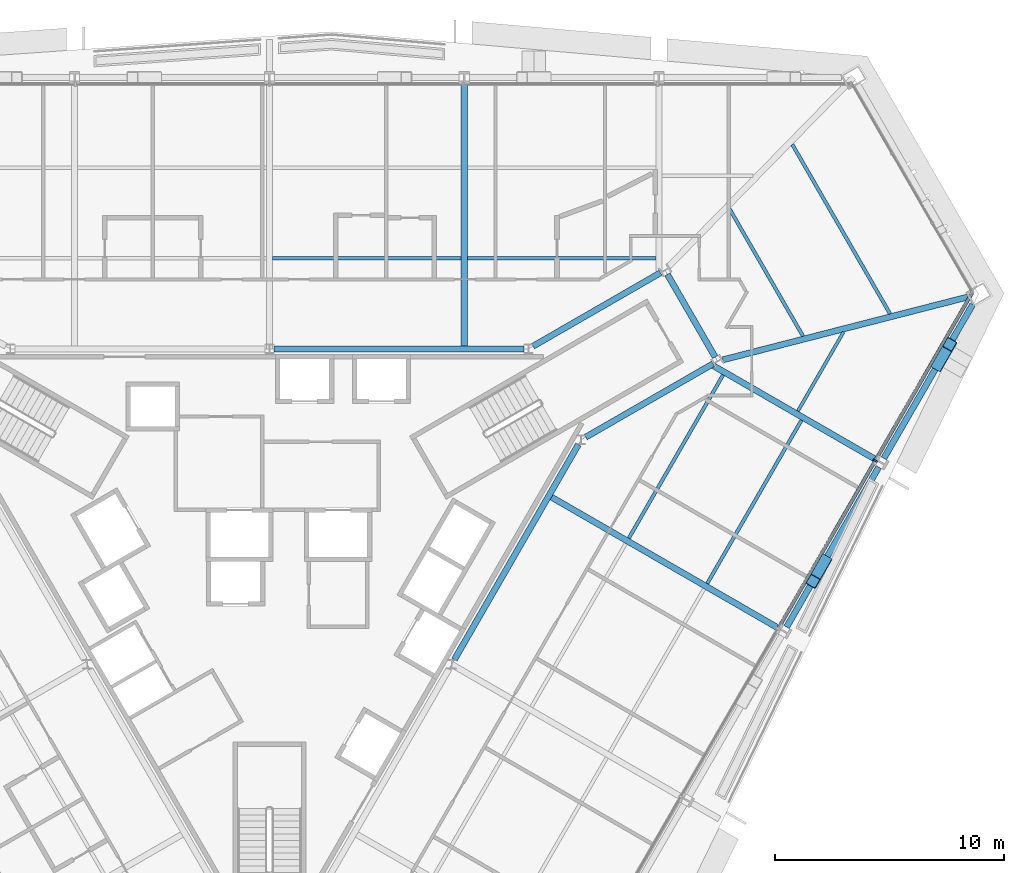
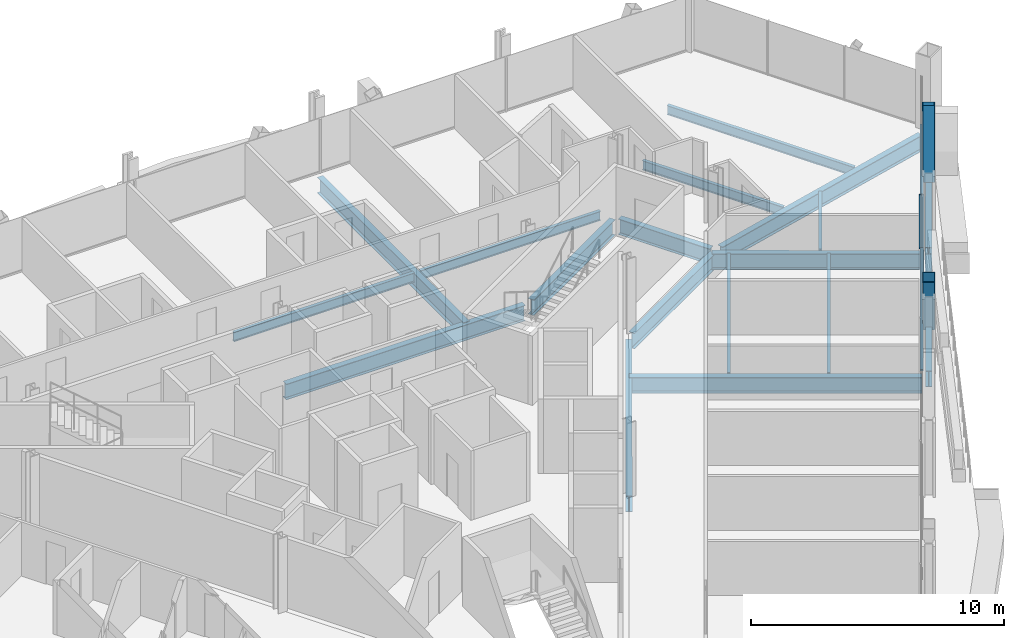
# One storey, part 6 of 17: 18 beams, 5 members, 1 element without a shape of its own.
"""IFC4 building model written with IfcOpenShell, lengths in metres."""

from ifc_helpers import new_model, si_unit, direction, frame, origin, origin_2d, place, context, subcontext, project, spatial, rectangle, hollow_rectangle, i_section, extrude, material, material_profile, profile_set, type_object, element, aggregate, save


model = new_model("IFC4")

# Units and contexts
model_context = context("Model", 3, precision=1e-05, world=origin(), true_north=direction((0.0, 1.0)))
body_context = subcontext(model_context, "Body", "Model", "MODEL_VIEW")
ifc_project = project(units=[si_unit("LENGTHUNIT", "METRE"), si_unit("AREAUNIT", "SQUARE_METRE"), si_unit("VOLUMEUNIT", "CUBIC_METRE"), si_unit("PLANEANGLEUNIT", "RADIAN"), si_unit("MASSUNIT", "GRAM", prefix="KILO")], contexts=[model_context])

# Site, building, storey
site_placement = place(None, origin())
site = spatial("IfcSite", under=ifc_project, at=site_placement, CompositionType="ELEMENT")
building_placement = place(site_placement, origin())
building = spatial("IfcBuilding", under=site, at=building_placement, Name="Verrane Prism Tower", CompositionType="ELEMENT")
storey_placement = place(building_placement, frame((0.0, 0.0, 51.199951171875)))
storey = spatial("IfcBuildingStorey", under=building, at=storey_placement, Name="L10", CompositionType="ELEMENT", Elevation=51.199951171875)

# Beams
ifc_material_1 = material(Name="Steel A992", Category="steel")
ifc_material_profile_1 = material_profile(ifc_material_1, i_section(OverallWidth=0.2666015625, OverallDepth=0.7568359375, WebThickness=0.013916015625, FlangeThickness=0.019287109375, FilletRadius=0.0166015625, at=origin_2d()), Name="W30x108")
ifc_profile_set_1 = profile_set([ifc_material_profile_1], Name="Steel A992")
beam_type_1 = type_object("IfcBeamType", Name="Core ring girder W30x108", PredefinedType="BEAM", material=ifc_profile_set_1)
beam_1_placement = place(storey_placement, frame((13.833251953125, 5.337158203125, -0.62841796875), z_axis=(0.86646365882, 0.499240150574, 0.0), x_axis=(-0.499240150574, 0.86646365882, 0.0)))
element("IfcBeam", 1, at=beam_1_placement, inside=storey, type_object=beam_type_1, Name="Core ring girder L10", PredefinedType="BEAM", context=body_context, shape_type="SweptSolid", body=[
    extrude(i_section(OverallWidth=0.2666015625, OverallDepth=0.7568359375, WebThickness=0.013916015625, FlangeThickness=0.019287109375, FilletRadius=0.0166015625, at=origin_2d()), origin(), (0.0, 0.0, 1.0), 6.42822265625),
])
beam_2_placement = place(storey_placement, frame((19.4951171875, 8.84130859375, -0.62841796875), z_axis=(-0.500349643494, 0.865823442888, 0.0), x_axis=(-0.865823442888, -0.500349643494, 0.0)))
element("IfcBeam", 2, at=beam_2_placement, inside=storey, type_object=beam_type_1, Name="Core ring girder L10", PredefinedType="BEAM", context=body_context, shape_type="SweptSolid", body=[
    extrude(i_section(OverallWidth=0.2666015625, OverallDepth=0.7568359375, WebThickness=0.013916015625, FlangeThickness=0.019287109375, FilletRadius=0.0166015625, at=origin_2d()), origin(), (0.0, 0.0, 1.0), 4.177734375),
])
beam_3_placement = place(storey_placement, frame((17.10302734375, 12.526611328125, -0.62841796875), z_axis=(-0.866447229751, -0.499268663203, 0.0), x_axis=(0.499268663203, -0.866447229751, 0.0)))
element("IfcBeam", 3, at=beam_3_placement, inside=storey, type_object=beam_type_1, Name="Core ring girder L10", PredefinedType="BEAM", context=body_context, shape_type="SweptSolid", body=[
    extrude(i_section(OverallWidth=0.2666015625, OverallDepth=0.7568359375, WebThickness=0.013916015625, FlangeThickness=0.019287109375, FilletRadius=0.0166015625, at=origin_2d()), origin(), (0.0, 0.0, 1.0), 6.428466796875),
])
beam_4_placement = place(storey_placement, frame((11.126708984375, 9.199951171875, -0.62841796875), z_axis=(-1.0, 0.0, 0.0), x_axis=(0.0, -1.0, 0.0)))
element("IfcBeam", 4, at=beam_4_placement, inside=storey, type_object=beam_type_1, Name="Core ring girder L10", PredefinedType="BEAM", context=body_context, shape_type="SweptSolid", body=[
    extrude(i_section(OverallWidth=0.2666015625, OverallDepth=0.7568359375, WebThickness=0.013916015625, FlangeThickness=0.019287109375, FilletRadius=0.0166015625, at=origin_2d()), origin(), (0.0, 0.0, 1.0), 10.923583984375),
])
beam_5_placement = place(storey_placement, frame((8.090087890625, -4.3916015625, -0.62841796875), z_axis=(0.499371892062, 0.866387738498, 0.0), x_axis=(-0.866387738498, 0.499371892062, 0.0)))
element("IfcBeam", 5, at=beam_5_placement, inside=storey, type_object=beam_type_1, Name="Core ring girder L10", PredefinedType="BEAM", context=body_context, shape_type="SweptSolid", body=[
    extrude(i_section(OverallWidth=0.2666015625, OverallDepth=0.7568359375, WebThickness=0.013916015625, FlangeThickness=0.019287109375, FilletRadius=0.0166015625, at=origin_2d()), origin(), (0.0, 0.0, 1.0), 10.853515625),
])
ifc_material_2 = material(Name="Steel A992", Category="steel")
ifc_material_profile_2 = material_profile(ifc_material_2, i_section(OverallWidth=0.2666015625, OverallDepth=0.76708984375, WebThickness=0.014892578125, FlangeThickness=0.023681640625, FilletRadius=0.0166015625, at=origin_2d()), Name="W30x124")
ifc_profile_set_2 = profile_set([ifc_material_profile_2], Name="Steel A992")
beam_type_2 = type_object("IfcBeamType", Name="Corner girder W30x124", PredefinedType="BEAM", material=ifc_profile_set_2)
beam_6_placement = place(storey_placement, frame((30.5673828125, 11.473876953125, -0.603515625), z_axis=(-0.968629214838, -0.248510450813, 0.0), x_axis=(0.248510450813, -0.968629214838, 0.0)))
element("IfcBeam", 6, at=beam_6_placement, inside=storey, type_object=beam_type_2, Name="Corner girder L10", PredefinedType="BEAM", context=body_context, shape_type="SweptSolid", body=[
    extrude(i_section(OverallWidth=0.2666015625, OverallDepth=0.76708984375, WebThickness=0.014892578125, FlangeThickness=0.023681640625, FilletRadius=0.0166015625, at=origin_2d()), origin(), (0.0, 0.0, 1.0), 11.086669921875),
])

# Members
ifc_material_3 = material(Name="Steel A1085 Grade A", Category="steel")
ifc_material_profile_3 = material_profile(ifc_material_3, hollow_rectangle(XDim=0.508056640625, YDim=0.508056640625, WallThickness=0.025390625, InnerFilletRadius=0.0126953125, OuterFilletRadius=0.0380859375, at=origin_2d()), Name="HSS20x20x1")
ifc_profile_set_3 = profile_set([ifc_material_profile_3], Name="Steel A1085 Grade A")
member_type_1 = type_object("IfcMemberType", Name="Facade brace HSS20x20x1", PredefinedType="BRACE", material=ifc_profile_set_3)
member_1_placement = place(storey_placement, frame((24.281494140625, -0.083740234375, -0.242431640625), z_axis=(-0.159775260557, -0.277492259553, 0.947348886104), x_axis=(0.866613017302, -0.498980839555, 0.0)))
element("IfcMember", 7, at=member_1_placement, inside=storey, type_object=member_type_1, Name="Facade brace SE4 L10", PredefinedType="BRACE", context=body_context, shape_type="SweptSolid", body=[
    extrude(hollow_rectangle(XDim=0.508056640625, YDim=0.508056640625, WallThickness=0.025390625, InnerFilletRadius=0.0126953125, OuterFilletRadius=0.0380859375, at=origin_2d()), origin(), (0.0, 0.0, 1.0), 3.17529296875),
])
member_2_placement = place(storey_placement, frame((29.244384765625, 8.51806640625, -0.242431640625), z_axis=(0.160095420092, 0.277052737076, 0.947423473081), x_axis=(-0.865837313025, 0.500325641332, 0.0)))
element("IfcMember", 8, at=member_2_placement, inside=storey, type_object=member_type_1, Name="Facade brace SE5 L10", PredefinedType="BRACE", context=body_context, shape_type="SweptSolid", body=[
    extrude(hollow_rectangle(XDim=0.508056640625, YDim=0.508056640625, WallThickness=0.025390625, InnerFilletRadius=0.0126953125, OuterFilletRadius=0.0380859375, at=origin_2d()), origin(), (0.0, 0.0, 1.0), 3.175048828125),
])

# Beams
ifc_material_4 = material(Name="Steel A992", Category="steel")
ifc_material_profile_4 = material_profile(ifc_material_4, i_section(OverallWidth=0.140380859375, OverallDepth=0.40380859375, WebThickness=0.007080078125, FlangeThickness=0.01123046875, FilletRadius=0.01025390625, at=origin_2d()), Name="W16x31")
ifc_profile_set_4 = profile_set([ifc_material_profile_4], Name="Steel A992")
beam_type_3 = type_object("IfcBeamType", Name="Floor beam W16x31", PredefinedType="BEAM", material=ifc_profile_set_4)
beam_7_placement = place(storey_placement, frame((23.113525390625, 6.4794921875, -0.36181640625), z_axis=(0.500001357645, 0.866024619946, 0.0), x_axis=(-0.866024619946, 0.500001357645, 0.0)))
element("IfcBeam", 9, at=beam_7_placement, inside=storey, type_object=beam_type_3, Name="Floor beam L10", PredefinedType="BEAM", context=body_context, shape_type="SweptSolid", body=[
    extrude(i_section(OverallWidth=0.140380859375, OverallDepth=0.40380859375, WebThickness=0.007080078125, FlangeThickness=0.01123046875, FilletRadius=0.01025390625, at=origin_2d()), origin(), (0.0, 0.0, 1.0), 3.99072265625),
])
ifc_material_5 = material(Name="Steel A992", Category="steel")
ifc_material_profile_5 = material_profile(ifc_material_5, i_section(OverallWidth=0.15234375, OverallDepth=0.449462890625, WebThickness=0.007568359375, FlangeThickness=0.0107421875, FilletRadius=0.01025390625, at=origin_2d()), Name="W18x35")
ifc_profile_set_5 = profile_set([ifc_material_profile_5], Name="Steel A992")
beam_type_4 = type_object("IfcBeamType", Name="Floor beam W18x35", PredefinedType="BEAM", material=ifc_profile_set_5)
beam_8_placement = place(storey_placement, frame((8.653564453125, 13.15673828125, -0.384765625), z_axis=(1.0, 0.0, 0.0), x_axis=(0.0, 1.0, 0.0)))
element("IfcBeam", 10, at=beam_8_placement, inside=storey, type_object=beam_type_4, Name="Floor beam L10", PredefinedType="BEAM", context=body_context, shape_type="SweptSolid", body=[
    extrude(i_section(OverallWidth=0.15234375, OverallDepth=0.449462890625, WebThickness=0.007568359375, FlangeThickness=0.0107421875, FilletRadius=0.01025390625, at=origin_2d()), origin(), (0.0, 0.0, 1.0), 8.242919921875),
])
beam_9_placement = place(storey_placement, frame((0.133544921875, 13.15673828125, -0.384765625), z_axis=(1.0, 0.0, 0.0), x_axis=(0.0, 1.0, 0.0)))
element("IfcBeam", 11, at=beam_9_placement, inside=storey, type_object=beam_type_4, Name="Floor beam L10", PredefinedType="BEAM", context=body_context, shape_type="SweptSolid", body=[
    extrude(i_section(OverallWidth=0.15234375, OverallDepth=0.449462890625, WebThickness=0.007568359375, FlangeThickness=0.0107421875, FilletRadius=0.01025390625, at=origin_2d()), origin(), (0.0, 0.0, 1.0), 8.2529296875),
])
beam_10_placement = place(storey_placement, frame((19.146728515625, -1.064453125, -0.384765625), z_axis=(0.499987164874, 0.866032814021, 0.0), x_axis=(-0.866032814021, 0.499987164874, 0.0)))
element("IfcBeam", 12, at=beam_10_placement, inside=storey, type_object=beam_type_4, Name="Floor beam L10", PredefinedType="BEAM", context=body_context, shape_type="SweptSolid", body=[
    extrude(i_section(OverallWidth=0.15234375, OverallDepth=0.449462890625, WebThickness=0.007568359375, FlangeThickness=0.0107421875, FilletRadius=0.01025390625, at=origin_2d()), origin(), (0.0, 0.0, 1.0), 8.249755859375),
])
beam_11_placement = place(storey_placement, frame((15.716796875, 0.91552734375, -0.384765625), z_axis=(0.499996545922, 0.866027397988, 0.0), x_axis=(-0.866027397988, 0.499996545922, 0.0)))
element("IfcBeam", 13, at=beam_11_placement, inside=storey, type_object=beam_type_4, Name="Floor beam L10", PredefinedType="BEAM", context=body_context, shape_type="SweptSolid", body=[
    extrude(i_section(OverallWidth=0.15234375, OverallDepth=0.449462890625, WebThickness=0.007568359375, FlangeThickness=0.0107421875, FilletRadius=0.01025390625, at=origin_2d()), origin(), (0.0, 0.0, 1.0), 8.25),
])
beam_12_placement = place(storey_placement, frame((27.145263671875, 10.733642578125, -0.384765625), z_axis=(-0.499989342298, 0.866031556924, 0.0), x_axis=(-0.866031556924, -0.499989342298, 0.0)))
element("IfcBeam", 14, at=beam_12_placement, inside=storey, type_object=beam_type_4, Name="Floor beam L10", PredefinedType="BEAM", context=body_context, shape_type="SweptSolid", body=[
    extrude(i_section(OverallWidth=0.15234375, OverallDepth=0.449462890625, WebThickness=0.007568359375, FlangeThickness=0.0107421875, FilletRadius=0.01025390625, at=origin_2d()), origin(), (0.0, 0.0, 1.0), 8.552001953125),
])
beam_13_placement = place(storey_placement, frame((23.337158203125, 9.756591796875, -0.384765625), z_axis=(-0.49999063097, 0.866030812929, 0.0), x_axis=(-0.866030812929, -0.49999063097, 0.0)))
element("IfcBeam", 15, at=beam_13_placement, inside=storey, type_object=beam_type_4, Name="Floor beam L10", PredefinedType="BEAM", context=body_context, shape_type="SweptSolid", body=[
    extrude(i_section(OverallWidth=0.15234375, OverallDepth=0.449462890625, WebThickness=0.007568359375, FlangeThickness=0.0107421875, FilletRadius=0.01025390625, at=origin_2d()), origin(), (0.0, 0.0, 1.0), 6.435546875),
])

# Curtain wall, member
ifc_material_6 = material(Name="Aluminium framed insulated glazing", Category="aluminium")
curtain_wall_type = type_object("IfcCurtainWallType", Name="Curtain wall CW-A 8400 module", PredefinedType="NOTDEFINED", material=ifc_material_6)
curtain_wall_placement = place(storey_placement, origin())
curtain_wall = element("IfcCurtainWall", 16, at=curtain_wall_placement, inside=storey, type_object=curtain_wall_type, Name="Glazed curtain wall south-east face L10", PredefinedType="NOTDEFINED")
ifc_material_7 = material(Name="Aluminium alloy 6063-T6", Category="aluminium")
ifc_material_profile_6 = material_profile(ifc_material_7, rectangle(XDim=0.199951171875, YDim=0.070068359375, at=origin_2d()), Name="Mullion 70x200 aluminium")
ifc_profile_set_6 = profile_set([ifc_material_profile_6], Name="Aluminium alloy 6063-T6")
member_type_2 = type_object("IfcMemberType", Name="Mullion 70x200 aluminium", PredefinedType="MULLION", material=ifc_profile_set_6)
member_3_placement = place(storey_placement, frame((26.497314453125, 4.312744140625, 0.0), z_axis=(0.0, 0.0, 1.0), x_axis=(-0.866025694591, 0.499999496308, 0.0)))
member_3 = element("IfcMember", 17, at=member_3_placement, type_object=member_type_2, Name="CW09.6 mullion 6", PredefinedType="MULLION", context=body_context, shape_type="SweptSolid", body=[
    extrude(rectangle(XDim=0.199951171875, YDim=0.070068359375, at=origin_2d()), origin(), (0.0, 0.0, 1.0), 2.613037109375),
])

# Beams
ifc_material_8 = material(Name="Steel A992", Category="steel")
ifc_material_profile_7 = material_profile(ifc_material_8, i_section(OverallWidth=0.2666015625, OverallDepth=0.76708984375, WebThickness=0.014892578125, FlangeThickness=0.023681640625, FilletRadius=0.0166015625, at=origin_2d()), Name="W30x124")
ifc_profile_set_7 = profile_set([ifc_material_profile_7], Name="Steel A992")
beam_type_5 = type_object("IfcBeamType", Name="Radial girder W30x124", PredefinedType="BEAM", material=ifc_profile_set_7)
beam_14_placement = place(storey_placement, frame((8.52001953125, 20.8046875, -0.603515625), z_axis=(0.0, -1.0, 0.0), x_axis=(1.0, 0.0, 0.0)))
element("IfcBeam", 18, at=beam_14_placement, inside=storey, type_object=beam_type_5, Name="Radial girder L10", PredefinedType="BEAM", context=body_context, shape_type="SweptSolid", body=[
    extrude(i_section(OverallWidth=0.2666015625, OverallDepth=0.76708984375, WebThickness=0.014892578125, FlangeThickness=0.023681640625, FilletRadius=0.0166015625, at=origin_2d()), origin(), (0.0, 0.0, 1.0), 11.604736328125),
])
beam_15_placement = place(storey_placement, frame((22.280029296875, -3.02734375, -0.603515625), z_axis=(-0.866023488761, 0.500003316903, 0.0), x_axis=(-0.500003316903, -0.866023488761, 0.0)))
element("IfcBeam", 19, at=beam_15_placement, inside=storey, type_object=beam_type_5, Name="Radial girder L10", PredefinedType="BEAM", context=body_context, shape_type="SweptSolid", body=[
    extrude(i_section(OverallWidth=0.2666015625, OverallDepth=0.76708984375, WebThickness=0.014892578125, FlangeThickness=0.023681640625, FilletRadius=0.0166015625, at=origin_2d()), origin(), (0.0, 0.0, 1.0), 11.61279296875),
])
beam_16_placement = place(storey_placement, frame((26.530029296875, 4.352783203125, -0.603515625), z_axis=(-0.866021168401, 0.500007335828, 0.0), x_axis=(-0.500007335828, -0.866021168401, 0.0)))
element("IfcBeam", 20, at=beam_16_placement, inside=storey, type_object=beam_type_5, Name="Radial girder L10", PredefinedType="BEAM", context=body_context, shape_type="SweptSolid", body=[
    extrude(i_section(OverallWidth=0.2666015625, OverallDepth=0.76708984375, WebThickness=0.014892578125, FlangeThickness=0.023681640625, FilletRadius=0.0166015625, at=origin_2d()), origin(), (0.0, 0.0, 1.0), 8.30859375),
])
ifc_material_9 = material(Name="Steel A992", Category="steel")
ifc_material_profile_8 = material_profile(ifc_material_9, i_section(OverallWidth=0.2666015625, OverallDepth=0.7568359375, WebThickness=0.013916015625, FlangeThickness=0.019287109375, FilletRadius=0.0166015625, at=origin_2d()), Name="W30x108")
ifc_profile_set_8 = profile_set([ifc_material_profile_8], Name="Steel A992")
beam_type_6 = type_object("IfcBeamType", Name="Spandrel beam W30x108", PredefinedType="SPANDREL", material=ifc_profile_set_8)
beam_17_placement = place(storey_placement, frame((22.620361328125, -2.968505859375, -0.538330078125), z_axis=(0.499027753089, 0.866586003607, 0.0), x_axis=(-0.866586003607, 0.499027753089, 0.0)))
element("IfcBeam", 21, at=beam_17_placement, inside=storey, type_object=beam_type_6, Name="Spandrel beam L10", PredefinedType="SPANDREL", context=body_context, shape_type="SweptSolid", body=[
    extrude(i_section(OverallWidth=0.2666015625, OverallDepth=0.7568359375, WebThickness=0.013916015625, FlangeThickness=0.019287109375, FilletRadius=0.0166015625, at=origin_2d()), origin(), (0.0, 0.0, 1.0), 8.07421875),
])
beam_18_placement = place(storey_placement, frame((26.87060546875, 4.411376953125, -0.538330078125), z_axis=(0.500425695968, 0.865779488562, 0.0), x_axis=(-0.865779488562, 0.500425695968, 0.0)))
element("IfcBeam", 22, at=beam_18_placement, inside=storey, type_object=beam_type_6, Name="Spandrel beam L10", PredefinedType="SPANDREL", context=body_context, shape_type="SweptSolid", body=[
    extrude(i_section(OverallWidth=0.2666015625, OverallDepth=0.7568359375, WebThickness=0.013916015625, FlangeThickness=0.019287109375, FilletRadius=0.0166015625, at=origin_2d()), origin(), (0.0, 0.0, 1.0), 7.772216796875),
])

# Member
ifc_material_10 = material(Name="Aluminium alloy 6063-T6", Category="aluminium")
ifc_material_profile_9 = material_profile(ifc_material_10, rectangle(XDim=0.14990234375, YDim=0.070068359375, at=origin_2d()), Name="Transom 70x150 aluminium")
ifc_profile_set_9 = profile_set([ifc_material_profile_9], Name="Aluminium alloy 6063-T6")
member_type_3 = type_object("IfcMemberType", Name="Transom 70x150 aluminium", PredefinedType="USERDEFINED", material=ifc_profile_set_9)
member_4_placement = place(storey_placement, frame((22.268798828125, -3.01123046875, 0.03515625), z_axis=(0.500005175824, 0.866022415501, 0.0), x_axis=(-0.866022415501, 0.500005175824, 0.0)))
member_4 = element("IfcMember", 23, at=member_4_placement, type_object=member_type_3, Name="CW09.6 transom 5", ObjectType="TRANSOM", PredefinedType="USERDEFINED", context=body_context, shape_type="SweptSolid", body=[
    extrude(rectangle(XDim=0.14990234375, YDim=0.070068359375, at=origin_2d()), origin(), (0.0, 0.0, 1.0), 8.421875),
])

member_5_placement = place(storey_placement, frame((26.5146484375, 4.343017578125, 0.03515625), z_axis=(0.500014000576, 0.866017320397, 0.0), x_axis=(-0.866017320397, 0.500014000576, 0.0)))
member_5 = element("IfcMember", 24, at=member_5_placement, type_object=member_type_3, Name="CW09.6 transom 6", ObjectType="TRANSOM", PredefinedType="USERDEFINED", context=body_context, shape_type="SweptSolid", body=[
    extrude(rectangle(XDim=0.14990234375, YDim=0.070068359375, at=origin_2d()), origin(), (0.0, 0.0, 1.0), 8.456787109375),
])

aggregate(curtain_wall, [member_3, member_4, member_5])

save(model, "model.ifc")
